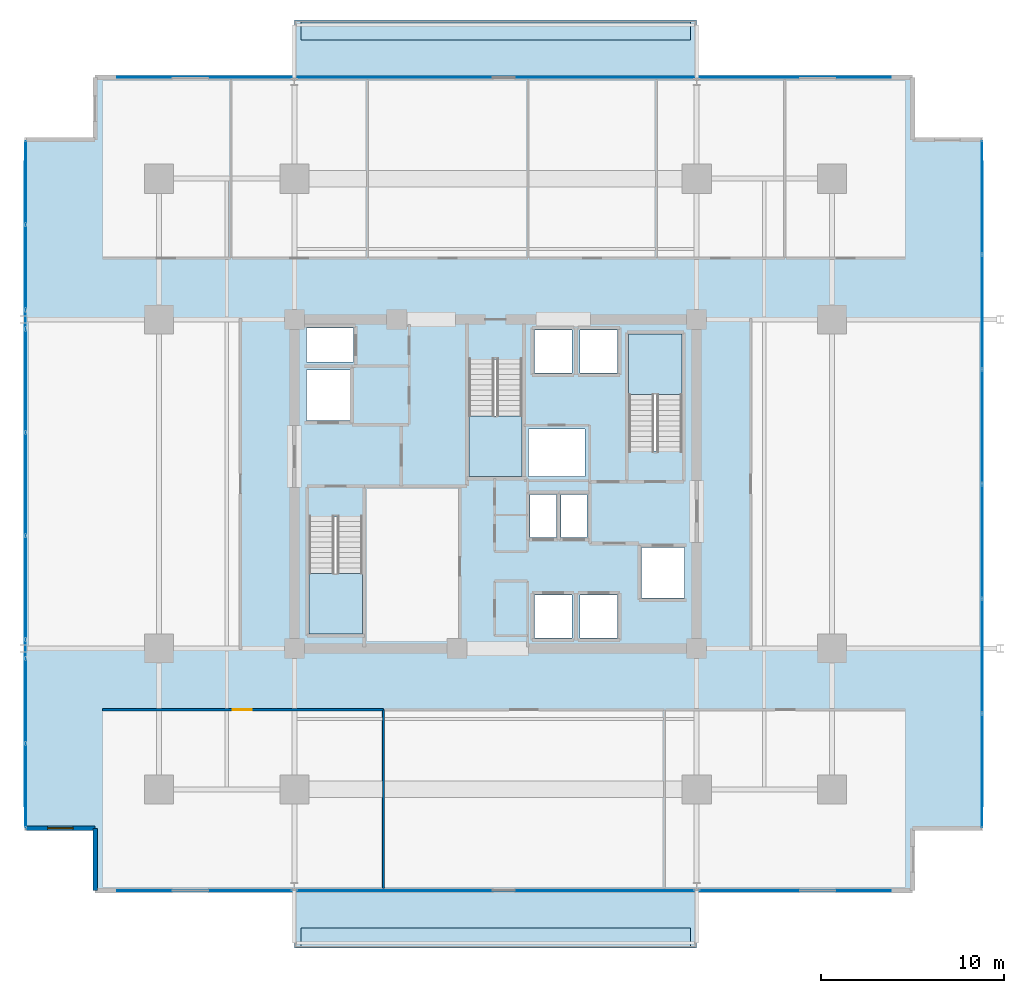
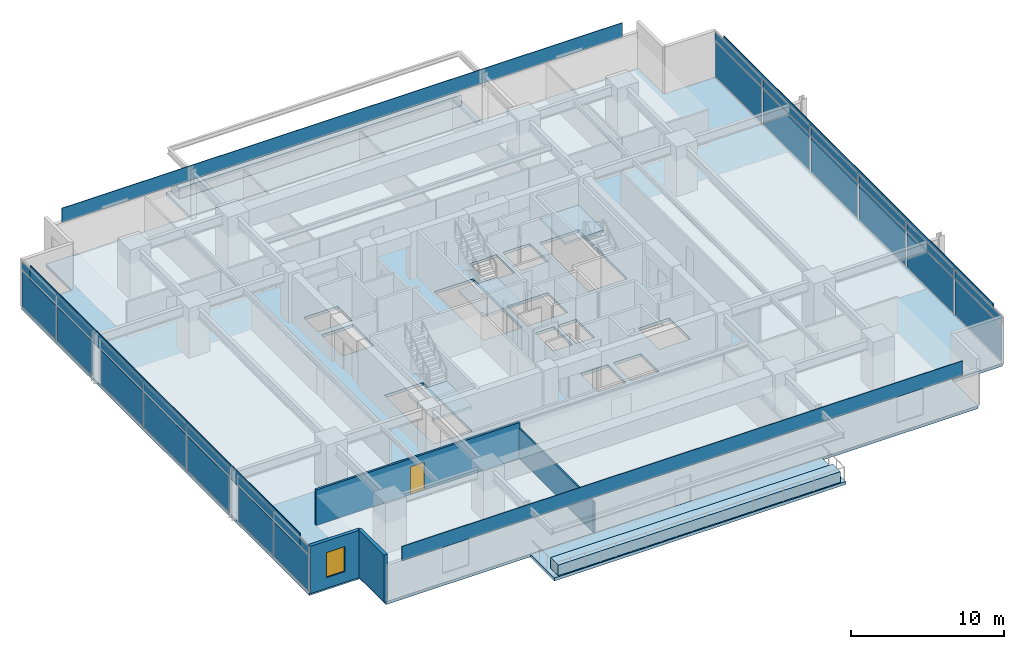
# One storey, part 13 of 21: 30 plates, 8 slabs, 4 walls, 1 door, 1 window, 2 openings, 7 elements without a shape of their own.
"""IFC4 building model written with IfcOpenShell, lengths in metres."""

from ifc_helpers import new_model, si_unit, direction, frame, frame_2d, origin, origin_2d, place, context, subcontext, project, spatial, polyline, rectangle, outline, extrude, material, layer, layer_set, type_object, element, fill, aggregate, save


model = new_model("IFC4")

# Units and contexts
model_context = context("Model", 3, precision=1e-05, world=origin(), true_north=direction((0.0, 1.0)))
body_context = subcontext(model_context, "Body", "Model", "MODEL_VIEW")
ifc_project = project(units=[si_unit("LENGTHUNIT", "METRE"), si_unit("AREAUNIT", "SQUARE_METRE"), si_unit("VOLUMEUNIT", "CUBIC_METRE"), si_unit("PLANEANGLEUNIT", "RADIAN"), si_unit("MASSUNIT", "GRAM", prefix="KILO")], contexts=[model_context])

# Site, building, storey
site_placement = place(None, origin())
site = spatial("IfcSite", under=ifc_project, at=site_placement, CompositionType="ELEMENT")
building_placement = place(site_placement, origin())
building = spatial("IfcBuilding", under=site, at=building_placement, Name="Kovane Verandah Tower", CompositionType="ELEMENT")
storey_placement = place(building_placement, frame((0.0, 0.0, 152.39990234375)))
storey = spatial("IfcBuildingStorey", under=building, at=storey_placement, Name="L35", CompositionType="ELEMENT", Elevation=152.39990234375)

# Curtain wall, plates
ifc_material_1 = material(Name="Champagne Anodised Aluminium Frame with Low-E Clear Laminated Glass", Category="aluminium")
curtain_wall_type = type_object("IfcCurtainWallType", Name="CW-SYS-03-MID", PredefinedType="NOTDEFINED", material=ifc_material_1)
curtain_wall_1_placement = place(storey_placement, origin())
curtain_wall_1 = element("IfcCurtainWall", 1, at=curtain_wall_1_placement, inside=storey, type_object=curtain_wall_type, Name="L35 E Unitised Curtain Wall", PredefinedType="NOTDEFINED")
ifc_material_2 = material(Name="Pale Champagne Anodised Aluminium Insulated Spandrel", Category="aluminium")
ifc_layer_1 = layer(ifc_material_2, 0.0400390625)
ifc_layer_set_1 = layer_set([ifc_layer_1], Name="Pale Champagne Anodised Aluminium Insulated Spandrel")
plate_type_1 = type_object("IfcPlateType", Name="PL-CW-SPD-40", PredefinedType="SHEET", material=ifc_layer_set_1)
plate_1_placement = place(storey_placement, frame((66.60595703125, 11.810791015625, 3.044921875), z_axis=(0.0, 0.0, 1.0), x_axis=(0.0, 1.0, 0.0)))
plate_1 = element("IfcPlate", 2, at=plate_1_placement, type_object=plate_type_1, Name="L35 E Unitised Curtain Wall Spandrel Panel 1", PredefinedType="SHEET", context=body_context, shape_type="SweptSolid", body=[
    extrude(rectangle(XDim=6.1357421875, YDim=0.0400390625, at=origin_2d()), origin(), (0.0, 0.0, 1.0), 0.639892578125),
])
plate_2_placement = place(storey_placement, frame((66.60595703125, 18.08642578125, 3.044921875), z_axis=(0.0, 0.0, 1.0), x_axis=(0.0, 1.0, 0.0)))
plate_2 = element("IfcPlate", 3, at=plate_2_placement, type_object=plate_type_1, Name="L35 E Unitised Curtain Wall Spandrel Panel 2", PredefinedType="SHEET", context=body_context, shape_type="SweptSolid", body=[
    extrude(rectangle(XDim=6.1357421875, YDim=0.0400390625, at=origin_2d()), origin(), (0.0, 0.0, 1.0), 0.639892578125),
])
plate_3_placement = place(storey_placement, frame((66.60595703125, 24.362060546875, 3.044921875), z_axis=(0.0, 0.0, 1.0), x_axis=(0.0, 1.0, 0.0)))
plate_3 = element("IfcPlate", 4, at=plate_3_placement, type_object=plate_type_1, Name="L35 E Unitised Curtain Wall Spandrel Panel 3", PredefinedType="SHEET", context=body_context, shape_type="SweptSolid", body=[
    extrude(rectangle(XDim=6.1357421875, YDim=0.0400390625, at=origin_2d()), origin(), (0.0, 0.0, 1.0), 0.639892578125),
])
plate_4_placement = place(storey_placement, frame((66.60595703125, 30.637939453125, 3.044921875), z_axis=(0.0, 0.0, 1.0), x_axis=(0.0, 1.0, 0.0)))
plate_4 = element("IfcPlate", 5, at=plate_4_placement, type_object=plate_type_1, Name="L35 E Unitised Curtain Wall Spandrel Panel 4", PredefinedType="SHEET", context=body_context, shape_type="SweptSolid", body=[
    extrude(rectangle(XDim=6.1357421875, YDim=0.0400390625, at=origin_2d()), origin(), (0.0, 0.0, 1.0), 0.639892578125),
])
plate_5_placement = place(storey_placement, frame((66.60595703125, 36.91357421875, 3.044921875), z_axis=(0.0, 0.0, 1.0), x_axis=(0.0, 1.0, 0.0)))
plate_5 = element("IfcPlate", 6, at=plate_5_placement, type_object=plate_type_1, Name="L35 E Unitised Curtain Wall Spandrel Panel 5", PredefinedType="SHEET", context=body_context, shape_type="SweptSolid", body=[
    extrude(rectangle(XDim=6.1357421875, YDim=0.0400390625, at=origin_2d()), origin(), (0.0, 0.0, 1.0), 0.639892578125),
])
plate_6_placement = place(storey_placement, frame((66.60595703125, 43.189208984375, 3.044921875), z_axis=(0.0, 0.0, 1.0), x_axis=(0.0, 1.0, 0.0)))
plate_6 = element("IfcPlate", 7, at=plate_6_placement, type_object=plate_type_1, Name="L35 E Unitised Curtain Wall Spandrel Panel 6", PredefinedType="SHEET", context=body_context, shape_type="SweptSolid", body=[
    extrude(rectangle(XDim=6.1357421875, YDim=0.0400390625, at=origin_2d()), origin(), (0.0, 0.0, 1.0), 0.639892578125),
])

curtain_wall_2_placement = place(storey_placement, origin())
curtain_wall_2 = element("IfcCurtainWall", 8, at=curtain_wall_2_placement, inside=storey, type_object=curtain_wall_type, Name="L35 W Unitised Curtain Wall-1", PredefinedType="NOTDEFINED")
plate_7_placement = place(storey_placement, frame((14.303955078125, 44.00048828125, 3.044921875), z_axis=(0.0, 0.0, 1.0), x_axis=(0.0, -1.0, 0.0)))
plate_7 = element("IfcPlate", 9, at=plate_7_placement, type_object=plate_type_1, Name="L35 W Unitised Curtain Wall-1 Spandrel Panel 1", PredefinedType="SHEET", context=body_context, shape_type="SweptSolid", body=[
    extrude(rectangle(XDim=4.513671875, YDim=0.0400390625, at=origin_2d()), origin(), (0.0, 0.0, 1.0), 0.639892578125),
])
plate_8_placement = place(storey_placement, frame((14.303955078125, 39.3466796875, 3.044921875), z_axis=(0.0, 0.0, 1.0), x_axis=(0.0, -1.0, 0.0)))
plate_8 = element("IfcPlate", 10, at=plate_8_placement, type_object=plate_type_1, Name="L35 W Unitised Curtain Wall-1 Spandrel Panel 2", PredefinedType="SHEET", context=body_context, shape_type="SweptSolid", body=[
    extrude(rectangle(XDim=4.513671875, YDim=0.0400390625, at=origin_2d()), origin(), (0.0, 0.0, 1.0), 0.639892578125),
])

curtain_wall_3_placement = place(storey_placement, origin())
curtain_wall_3 = element("IfcCurtainWall", 11, at=curtain_wall_3_placement, inside=storey, type_object=curtain_wall_type, Name="L35 W Unitised Curtain Wall-2", PredefinedType="NOTDEFINED")
plate_9_placement = place(storey_placement, frame((14.303955078125, 33.1533203125, 3.044921875), z_axis=(0.0, 0.0, 1.0), x_axis=(0.0, -1.0, 0.0)))
plate_9 = element("IfcPlate", 12, at=plate_9_placement, type_object=plate_type_1, Name="L35 W Unitised Curtain Wall-2 Spandrel Panel 1", PredefinedType="SHEET", context=body_context, shape_type="SweptSolid", body=[
    extrude(rectangle(XDim=5.51318359375, YDim=0.0400390625, at=origin_2d()), origin(), (0.0, 0.0, 1.0), 0.639892578125),
])
plate_10_placement = place(storey_placement, frame((14.303955078125, 27.5, 3.044921875), z_axis=(0.0, 0.0, 1.0), x_axis=(0.0, -1.0, 0.0)))
plate_10 = element("IfcPlate", 13, at=plate_10_placement, type_object=plate_type_1, Name="L35 W Unitised Curtain Wall-2 Spandrel Panel 2", PredefinedType="SHEET", context=body_context, shape_type="SweptSolid", body=[
    extrude(rectangle(XDim=5.51318359375, YDim=0.0400390625, at=origin_2d()), origin(), (0.0, 0.0, 1.0), 0.639892578125),
])
plate_11_placement = place(storey_placement, frame((14.303955078125, 21.8466796875, 3.044921875), z_axis=(0.0, 0.0, 1.0), x_axis=(0.0, -1.0, 0.0)))
plate_11 = element("IfcPlate", 14, at=plate_11_placement, type_object=plate_type_1, Name="L35 W Unitised Curtain Wall-2 Spandrel Panel 3", PredefinedType="SHEET", context=body_context, shape_type="SweptSolid", body=[
    extrude(rectangle(XDim=5.51318359375, YDim=0.0400390625, at=origin_2d()), origin(), (0.0, 0.0, 1.0), 0.639892578125),
])

curtain_wall_4_placement = place(storey_placement, origin())
curtain_wall_4 = element("IfcCurtainWall", 15, at=curtain_wall_4_placement, inside=storey, type_object=curtain_wall_type, Name="L35 W Unitised Curtain Wall-3", PredefinedType="NOTDEFINED")
plate_12_placement = place(storey_placement, frame((14.303955078125, 15.6533203125, 3.044921875), z_axis=(0.0, 0.0, 1.0), x_axis=(0.0, -1.0, 0.0)))
plate_12 = element("IfcPlate", 16, at=plate_12_placement, type_object=plate_type_1, Name="L35 W Unitised Curtain Wall-3 Spandrel Panel 1", PredefinedType="SHEET", context=body_context, shape_type="SweptSolid", body=[
    extrude(rectangle(XDim=4.513671875, YDim=0.0400390625, at=origin_2d()), origin(), (0.0, 0.0, 1.0), 0.639892578125),
])
plate_13_placement = place(storey_placement, frame((14.303955078125, 10.99951171875, 3.044921875), z_axis=(0.0, 0.0, 1.0), x_axis=(0.0, -1.0, 0.0)))
plate_13 = element("IfcPlate", 17, at=plate_13_placement, type_object=plate_type_1, Name="L35 W Unitised Curtain Wall-3 Spandrel Panel 2", PredefinedType="SHEET", context=body_context, shape_type="SweptSolid", body=[
    extrude(rectangle(XDim=4.513671875, YDim=0.0400390625, at=origin_2d()), origin(), (0.0, 0.0, 1.0), 0.639892578125),
])

# Plate
ifc_material_3 = material(Name="Clear Low-E Laminated Double Glazing", Category="glass")
ifc_layer_2 = layer(ifc_material_3, 0.031982421875)
ifc_layer_set_2 = layer_set([ifc_layer_2], Name="Clear Low-E Laminated Double Glazing")
plate_type_2 = type_object("IfcPlateType", Name="PL-CW-VIS-32", PredefinedType="CURTAIN_PANEL", material=ifc_layer_set_2)
plate_14_placement = place(storey_placement, frame((66.60595703125, 11.810791015625, 0.10009765625), z_axis=(0.0, 0.0, 1.0), x_axis=(0.0, 1.0, 0.0)))
plate_14 = element("IfcPlate", 18, at=plate_14_placement, type_object=plate_type_2, Name="L35 E Unitised Curtain Wall Vision Panel 1", PredefinedType="CURTAIN_PANEL", context=body_context, shape_type="SweptSolid", body=[
    extrude(rectangle(XDim=6.1357421875, YDim=0.031982421875, at=origin_2d()), origin(), (0.0, 0.0, 1.0), 2.844970703125),
])

plate_15_placement = place(storey_placement, frame((66.60595703125, 18.08642578125, 0.10009765625), z_axis=(0.0, 0.0, 1.0), x_axis=(0.0, 1.0, 0.0)))
plate_15 = element("IfcPlate", 19, at=plate_15_placement, type_object=plate_type_2, Name="L35 E Unitised Curtain Wall Vision Panel 2", PredefinedType="CURTAIN_PANEL", context=body_context, shape_type="SweptSolid", body=[
    extrude(rectangle(XDim=6.1357421875, YDim=0.031982421875, at=origin_2d()), origin(), (0.0, 0.0, 1.0), 2.844970703125),
])

plate_16_placement = place(storey_placement, frame((66.60595703125, 24.362060546875, 0.10009765625), z_axis=(0.0, 0.0, 1.0), x_axis=(0.0, 1.0, 0.0)))
plate_16 = element("IfcPlate", 20, at=plate_16_placement, type_object=plate_type_2, Name="L35 E Unitised Curtain Wall Vision Panel 3", PredefinedType="CURTAIN_PANEL", context=body_context, shape_type="SweptSolid", body=[
    extrude(rectangle(XDim=6.1357421875, YDim=0.031982421875, at=origin_2d()), origin(), (0.0, 0.0, 1.0), 2.844970703125),
])

plate_17_placement = place(storey_placement, frame((66.60595703125, 30.637939453125, 0.10009765625), z_axis=(0.0, 0.0, 1.0), x_axis=(0.0, 1.0, 0.0)))
plate_17 = element("IfcPlate", 21, at=plate_17_placement, type_object=plate_type_2, Name="L35 E Unitised Curtain Wall Vision Panel 4", PredefinedType="CURTAIN_PANEL", context=body_context, shape_type="SweptSolid", body=[
    extrude(rectangle(XDim=6.1357421875, YDim=0.031982421875, at=origin_2d()), origin(), (0.0, 0.0, 1.0), 2.844970703125),
])

plate_18_placement = place(storey_placement, frame((66.60595703125, 36.91357421875, 0.10009765625), z_axis=(0.0, 0.0, 1.0), x_axis=(0.0, 1.0, 0.0)))
plate_18 = element("IfcPlate", 22, at=plate_18_placement, type_object=plate_type_2, Name="L35 E Unitised Curtain Wall Vision Panel 5", PredefinedType="CURTAIN_PANEL", context=body_context, shape_type="SweptSolid", body=[
    extrude(rectangle(XDim=6.1357421875, YDim=0.031982421875, at=origin_2d()), origin(), (0.0, 0.0, 1.0), 2.844970703125),
])

plate_19_placement = place(storey_placement, frame((66.60595703125, 43.189208984375, 0.10009765625), z_axis=(0.0, 0.0, 1.0), x_axis=(0.0, 1.0, 0.0)))
plate_19 = element("IfcPlate", 23, at=plate_19_placement, type_object=plate_type_2, Name="L35 E Unitised Curtain Wall Vision Panel 6", PredefinedType="CURTAIN_PANEL", context=body_context, shape_type="SweptSolid", body=[
    extrude(rectangle(XDim=6.1357421875, YDim=0.031982421875, at=origin_2d()), origin(), (0.0, 0.0, 1.0), 2.844970703125),
])

aggregate(curtain_wall_1, [plate_14, plate_1, plate_15, plate_2, plate_16, plate_3, plate_17, plate_4, plate_18, plate_5, plate_19, plate_6])

plate_20_placement = place(storey_placement, frame((14.303955078125, 44.00048828125, 0.10009765625), z_axis=(0.0, 0.0, 1.0), x_axis=(0.0, -1.0, 0.0)))
plate_20 = element("IfcPlate", 24, at=plate_20_placement, type_object=plate_type_2, Name="L35 W Unitised Curtain Wall-1 Vision Panel 1", PredefinedType="CURTAIN_PANEL", context=body_context, shape_type="SweptSolid", body=[
    extrude(rectangle(XDim=4.513671875, YDim=0.031982421875, at=origin_2d()), origin(), (0.0, 0.0, 1.0), 2.844970703125),
])

plate_21_placement = place(storey_placement, frame((14.303955078125, 39.3466796875, 0.10009765625), z_axis=(0.0, 0.0, 1.0), x_axis=(0.0, -1.0, 0.0)))
plate_21 = element("IfcPlate", 25, at=plate_21_placement, type_object=plate_type_2, Name="L35 W Unitised Curtain Wall-1 Vision Panel 2", PredefinedType="CURTAIN_PANEL", context=body_context, shape_type="SweptSolid", body=[
    extrude(rectangle(XDim=4.513671875, YDim=0.031982421875, at=origin_2d()), origin(), (0.0, 0.0, 1.0), 2.844970703125),
])

aggregate(curtain_wall_2, [plate_20, plate_7, plate_21, plate_8])

plate_22_placement = place(storey_placement, frame((14.303955078125, 33.1533203125, 0.10009765625), z_axis=(0.0, 0.0, 1.0), x_axis=(0.0, -1.0, 0.0)))
plate_22 = element("IfcPlate", 26, at=plate_22_placement, type_object=plate_type_2, Name="L35 W Unitised Curtain Wall-2 Vision Panel 1", PredefinedType="CURTAIN_PANEL", context=body_context, shape_type="SweptSolid", body=[
    extrude(rectangle(XDim=5.51318359375, YDim=0.031982421875, at=origin_2d()), origin(), (0.0, 0.0, 1.0), 2.844970703125),
])

plate_23_placement = place(storey_placement, frame((14.303955078125, 27.5, 0.10009765625), z_axis=(0.0, 0.0, 1.0), x_axis=(0.0, -1.0, 0.0)))
plate_23 = element("IfcPlate", 27, at=plate_23_placement, type_object=plate_type_2, Name="L35 W Unitised Curtain Wall-2 Vision Panel 2", PredefinedType="CURTAIN_PANEL", context=body_context, shape_type="SweptSolid", body=[
    extrude(rectangle(XDim=5.51318359375, YDim=0.031982421875, at=origin_2d()), origin(), (0.0, 0.0, 1.0), 2.844970703125),
])

plate_24_placement = place(storey_placement, frame((14.303955078125, 21.8466796875, 0.10009765625), z_axis=(0.0, 0.0, 1.0), x_axis=(0.0, -1.0, 0.0)))
plate_24 = element("IfcPlate", 28, at=plate_24_placement, type_object=plate_type_2, Name="L35 W Unitised Curtain Wall-2 Vision Panel 3", PredefinedType="CURTAIN_PANEL", context=body_context, shape_type="SweptSolid", body=[
    extrude(rectangle(XDim=5.51318359375, YDim=0.031982421875, at=origin_2d()), origin(), (0.0, 0.0, 1.0), 2.844970703125),
])

aggregate(curtain_wall_3, [plate_22, plate_9, plate_23, plate_10, plate_24, plate_11])

plate_25_placement = place(storey_placement, frame((14.303955078125, 15.6533203125, 0.10009765625), z_axis=(0.0, 0.0, 1.0), x_axis=(0.0, -1.0, 0.0)))
plate_25 = element("IfcPlate", 29, at=plate_25_placement, type_object=plate_type_2, Name="L35 W Unitised Curtain Wall-3 Vision Panel 1", PredefinedType="CURTAIN_PANEL", context=body_context, shape_type="SweptSolid", body=[
    extrude(rectangle(XDim=4.513671875, YDim=0.031982421875, at=origin_2d()), origin(), (0.0, 0.0, 1.0), 2.844970703125),
])

plate_26_placement = place(storey_placement, frame((14.303955078125, 10.99951171875, 0.10009765625), z_axis=(0.0, 0.0, 1.0), x_axis=(0.0, -1.0, 0.0)))
plate_26 = element("IfcPlate", 30, at=plate_26_placement, type_object=plate_type_2, Name="L35 W Unitised Curtain Wall-3 Vision Panel 2", PredefinedType="CURTAIN_PANEL", context=body_context, shape_type="SweptSolid", body=[
    extrude(rectangle(XDim=4.513671875, YDim=0.031982421875, at=origin_2d()), origin(), (0.0, 0.0, 1.0), 2.844970703125),
])

aggregate(curtain_wall_4, [plate_25, plate_12, plate_26, plate_13])

# Plates
ifc_material_4 = material(Name="Perforated Pale Champagne Anodised Aluminium Solar Screen", Category="aluminium")
ifc_layer_3 = layer(ifc_material_4, 0.050048828125)
ifc_layer_set_3 = layer_set([ifc_layer_3], Name="Perforated Pale Champagne Anodised Aluminium Solar Screen")
plate_type_3 = type_object("IfcPlateType", Name="PL-SCREEN-50", PredefinedType="USERDEFINED", material=ifc_layer_set_3)
plate_27_placement = place(storey_placement, frame((40.455078125, 5.2578125, 2.875244140625), z_axis=(0.0, 0.0, 1.0), x_axis=(1.0, 0.0, 0.0)))
element("IfcPlate", 31, at=plate_27_placement, inside=storey, type_object=plate_type_3, Name="L35 S Perforated Champagne-Gold Solar Screen", ObjectType="SCREEN", PredefinedType="USERDEFINED", context=body_context, shape_type="SweptSolid", body=[
    extrude(rectangle(XDim=42.302001953125, YDim=0.050048828125, at=origin_2d()), origin(), (0.0, 0.0, 1.0), 1.14990234375),
])
plate_28_placement = place(storey_placement, frame((66.62109375, 27.5, 2.875244140625), z_axis=(0.0, 0.0, 1.0), x_axis=(0.0, 1.0, 0.0)))
element("IfcPlate", 32, at=plate_28_placement, inside=storey, type_object=plate_type_3, Name="L35 E Perforated Champagne-Gold Solar Screen", ObjectType="SCREEN", PredefinedType="USERDEFINED", context=body_context, shape_type="SweptSolid", body=[
    extrude(rectangle(XDim=35.25390625, YDim=0.050048828125, at=origin_2d()), origin(), (0.0, 0.0, 1.0), 1.14990234375),
])
plate_29_placement = place(storey_placement, frame((40.455078125, 49.7421875, 2.875244140625), z_axis=(0.0, 0.0, 1.0), x_axis=(-1.0, 0.0, 0.0)))
element("IfcPlate", 33, at=plate_29_placement, inside=storey, type_object=plate_type_3, Name="L35 N Perforated Champagne-Gold Solar Screen", ObjectType="SCREEN", PredefinedType="USERDEFINED", context=body_context, shape_type="SweptSolid", body=[
    extrude(rectangle(XDim=42.302001953125, YDim=0.050048828125, at=origin_2d()), origin(), (0.0, 0.0, 1.0), 1.14990234375),
])
plate_30_placement = place(storey_placement, frame((14.2890625, 27.5, 2.875244140625), z_axis=(0.0, 0.0, 1.0), x_axis=(0.0, -1.0, 0.0)))
element("IfcPlate", 34, at=plate_30_placement, inside=storey, type_object=plate_type_3, Name="L35 W Perforated Champagne-Gold Solar Screen", ObjectType="SCREEN", PredefinedType="USERDEFINED", context=body_context, shape_type="SweptSolid", body=[
    extrude(rectangle(XDim=35.25390625, YDim=0.050048828125, at=origin_2d()), origin(), (0.0, 0.0, 1.0), 1.14990234375),
])

# Slabs
ifc_material_5 = material(Name="Concrete C45/55", Category="concrete")
ifc_layer_4 = layer(ifc_material_5, 0.239990234375)
ifc_layer_set_4 = layer_set([ifc_layer_4], Name="Concrete C45/55")
slab_type_1 = type_object("IfcSlabType", Name="SL-BALC-240", PredefinedType="FLOOR", material=ifc_layer_set_4)
slab_1_placement = place(storey_placement, frame((0.0, 0.0, -0.239990234375)))
element("IfcSlab", 35, at=slab_1_placement, inside=storey, type_object=slab_type_1, Name="L35 N Planted Verandah Balcony Slab", PredefinedType="FLOOR", context=body_context, shape_type="SweptSolid", body=[
    extrude(outline(polyline([(29.0, 49.727294921875), (51.0, 49.727294921875), (51.0, 52.877197265625), (29.0, 52.877197265625), (29.0, 49.727294921875)])), origin(), (0.0, 0.0, 1.0), 0.239990234375),
])
slab_2_placement = place(storey_placement, frame((0.0, 0.0, -0.239990234375)))
element("IfcSlab", 36, at=slab_2_placement, inside=storey, type_object=slab_type_1, Name="L35 S Planted Verandah Balcony Slab", PredefinedType="FLOOR", context=body_context, shape_type="SweptSolid", body=[
    extrude(outline(polyline([(29.0, 2.122802734375), (51.0, 2.122802734375), (51.0, 5.272705078125), (29.0, 5.272705078125), (29.0, 2.122802734375)])), origin(), (0.0, 0.0, 1.0), 0.239990234375),
])

# Stair, slab
stair_type = type_object("IfcStairType", Name="ST-CORE-1380", PredefinedType="HALF_TURN_STAIR", material=ifc_material_5)
stair_1_placement = place(storey_placement, origin())
stair_1 = element("IfcStair", 37, at=stair_1_placement, inside=storey, type_object=stair_type, Name="L35 Exit Stair ST-01", PredefinedType="HALF_TURN_STAIR")
ifc_layer_5 = layer(ifc_material_5, 0.199951171875)
ifc_layer_set_5 = layer_set([ifc_layer_5], Name="Concrete C45/55")
slab_type_2 = type_object("IfcSlabType", Name="SL-LAND-200", PredefinedType="LANDING", material=ifc_layer_set_5)
slab_3_placement = place(storey_placement, frame((0.0, 0.0, 1.800048828125)))
slab_3 = element("IfcSlab", 38, at=slab_3_placement, type_object=slab_type_2, Name="ST-01 landing 1", PredefinedType="LANDING", context=body_context, shape_type="SweptSolid", body=[
    extrude(outline(polyline([(29.800048828125, 22.614990234375), (29.800048828125, 19.300048828125), (32.719970703125, 19.300048828125), (32.719970703125, 22.614990234375), (29.800048828125, 22.614990234375)])), origin(), (0.0, 0.0, 1.0), 0.199951171875),
])
aggregate(stair_1, [slab_3])

stair_2_placement = place(storey_placement, origin())
stair_2 = element("IfcStair", 39, at=stair_2_placement, inside=storey, type_object=stair_type, Name="L35 Exit Stair ST-02", PredefinedType="HALF_TURN_STAIR")
slab_4_placement = place(storey_placement, frame((0.0, 0.0, 1.800048828125)))
slab_4 = element("IfcSlab", 40, at=slab_4_placement, type_object=slab_type_2, Name="ST-02 landing 1", PredefinedType="LANDING", context=body_context, shape_type="SweptSolid", body=[
    extrude(outline(polyline([(50.199951171875, 32.385009765625), (50.199951171875, 35.699951171875), (47.280029296875, 35.699951171875), (47.280029296875, 32.385009765625), (50.199951171875, 32.385009765625)])), origin(), (0.0, 0.0, 1.0), 0.199951171875),
])
aggregate(stair_2, [slab_4])

stair_3_placement = place(storey_placement, origin())
stair_3 = element("IfcStair", 41, at=stair_3_placement, inside=storey, type_object=stair_type, Name="L35 Exit Stair ST-03", PredefinedType="HALF_TURN_STAIR")
slab_5_placement = place(storey_placement, frame((0.0, 0.0, 1.800048828125)))
slab_5 = element("IfcSlab", 42, at=slab_5_placement, type_object=slab_type_2, Name="ST-03 landing 1", PredefinedType="LANDING", context=body_context, shape_type="SweptSolid", body=[
    extrude(outline(polyline([(38.5400390625, 31.215087890625), (38.5400390625, 27.89990234375), (41.4599609375, 27.89990234375), (41.4599609375, 31.215087890625), (38.5400390625, 31.215087890625)])), origin(), (0.0, 0.0, 1.0), 0.199951171875),
])
aggregate(stair_3, [slab_5])

# Slabs
ifc_layer_6 = layer(ifc_material_5, 0.22509765625)
ifc_layer_set_6 = layer_set([ifc_layer_6], Name="Concrete C45/55")
slab_type_3 = type_object("IfcSlabType", Name="SL-MID-225", PredefinedType="FLOOR", material=ifc_layer_set_6)
slab_6_placement = place(storey_placement, frame((0.0, 0.0, -0.224853515625)))
element("IfcSlab", 43, at=slab_6_placement, inside=storey, type_object=slab_type_3, Name="L35 Structural Floor Slab", PredefinedType="FLOOR", context=body_context, shape_type="SweptSolid", body=[
    extrude(outline(polyline([(18.10400390625, 5.272705078125), (62.805908203125, 5.272705078125), (62.805908203125, 8.6728515625), (66.60595703125, 8.6728515625), (66.60595703125, 46.3271484375), (62.805908203125, 46.3271484375), (62.805908203125, 49.727294921875), (18.10400390625, 49.727294921875), (18.10400390625, 46.3271484375), (14.303955078125, 46.3271484375), (14.303955078125, 8.6728515625), (18.10400390625, 8.6728515625), (18.10400390625, 5.272705078125)]), holes=[polyline([(29.800048828125, 19.300048828125), (32.719970703125, 19.300048828125), (32.719970703125, 25.705078125), (29.800048828125, 25.705078125), (29.800048828125, 19.300048828125)]), polyline([(47.280029296875, 29.294921875), (50.199951171875, 29.294921875), (50.199951171875, 35.699951171875), (47.280029296875, 35.699951171875), (47.280029296875, 29.294921875)]), polyline([(38.5400390625, 27.89990234375), (41.4599609375, 27.89990234375), (41.4599609375, 34.304931640625), (38.5400390625, 34.304931640625), (38.5400390625, 27.89990234375)]), polyline([(29.669921875, 30.969970703125), (32.030029296875, 30.969970703125), (32.030029296875, 33.72998046875), (29.669921875, 33.72998046875), (29.669921875, 30.969970703125)]), polyline([(47.969970703125, 21.27001953125), (50.330078125, 21.27001953125), (50.330078125, 24.030029296875), (47.969970703125, 24.030029296875), (47.969970703125, 21.27001953125)]), polyline([(29.669921875, 34.169921875), (32.22998046875, 34.169921875), (32.22998046875, 36.030029296875), (29.669921875, 36.030029296875), (29.669921875, 34.169921875)]), polyline([(42.1201171875, 19.070068359375), (44.179931640625, 19.070068359375), (44.179931640625, 21.429931640625), (42.1201171875, 21.429931640625), (42.1201171875, 19.070068359375)]), polyline([(44.6201171875, 19.070068359375), (46.679931640625, 19.070068359375), (46.679931640625, 21.429931640625), (44.6201171875, 21.429931640625), (44.6201171875, 19.070068359375)]), polyline([(41.8798828125, 24.570068359375), (43.320068359375, 24.570068359375), (43.320068359375, 26.929931640625), (41.8798828125, 26.929931640625), (41.8798828125, 24.570068359375)]), polyline([(43.580078125, 24.570068359375), (45.0, 24.570068359375), (45.0, 26.929931640625), (43.580078125, 26.929931640625), (43.580078125, 24.570068359375)]), polyline([(42.1201171875, 33.570068359375), (44.179931640625, 33.570068359375), (44.179931640625, 35.929931640625), (42.1201171875, 35.929931640625), (42.1201171875, 33.570068359375)]), polyline([(44.6201171875, 33.570068359375), (46.679931640625, 33.570068359375), (46.679931640625, 35.929931640625), (44.6201171875, 35.929931640625), (44.6201171875, 33.570068359375)]), polyline([(41.800048828125, 27.89990234375), (44.89990234375, 27.89990234375), (44.89990234375, 30.5), (41.800048828125, 30.5), (41.800048828125, 27.89990234375)])]), origin(), (0.0, 0.0, 1.0), 0.224853515625),
])
ifc_material_6 = material(Name="Architectural Precast Concrete C45/55 Planter Trough", Category="concrete")
ifc_layer_7 = layer(ifc_material_6, 0.219970703125)
ifc_layer_set_7 = layer_set([ifc_layer_7], Name="Architectural Precast Concrete C45/55 Planter Trough")
slab_type_4 = type_object("IfcSlabType", Name="SL-PLANTER-220", PredefinedType="USERDEFINED", material=ifc_layer_set_7)
slab_7_placement = place(storey_placement, origin())
element("IfcSlab", 44, at=slab_7_placement, inside=storey, type_object=slab_type_4, Name="L35 N Structural Tree Planter", ObjectType="PLANTER", PredefinedType="USERDEFINED", context=body_context, shape_type="SweptSolid", body=[
    extrude(outline(polyline([(29.35009765625, 51.777099609375), (50.64990234375, 51.777099609375), (50.64990234375, 52.777099609375), (29.35009765625, 52.777099609375), (29.35009765625, 51.777099609375)])), origin(), (0.0, 0.0, 1.0), 0.85009765625),
])
slab_8_placement = place(storey_placement, origin())
element("IfcSlab", 45, at=slab_8_placement, inside=storey, type_object=slab_type_4, Name="L35 S Structural Tree Planter", ObjectType="PLANTER", PredefinedType="USERDEFINED", context=body_context, shape_type="SweptSolid", body=[
    extrude(outline(polyline([(29.35009765625, 2.222900390625), (50.64990234375, 2.222900390625), (50.64990234375, 3.222900390625), (29.35009765625, 3.222900390625), (29.35009765625, 2.222900390625)])), origin(), (0.0, 0.0, 1.0), 0.85009765625),
])

# Wall, opening, door
ifc_material_7 = material(Name="Fire-Rated Gypsum Stud Partition", Category="gypsum")
ifc_layer_8 = layer(ifc_material_7, 0.14990234375)
ifc_layer_set_8 = layer_set([ifc_layer_8], Name="Fire-Rated Gypsum Stud Partition")
wall_type_1 = type_object("IfcWallType", Name="WL-COR-150", PredefinedType="PARTITIONING", material=ifc_layer_set_8)
wall_1_placement = place(storey_placement, frame((18.50390625, 15.14990234375, 0.0), z_axis=(0.0, 0.0, 1.0), x_axis=(1.0, 0.0, 0.0)))
wall_1 = element("IfcWall", 46, at=wall_1_placement, inside=storey, type_object=wall_type_1, Name="L35 Executive Office S1 Corridor Partition", PredefinedType="PARTITIONING", context=body_context, shape_type="SweptSolid", body=[
    extrude(rectangle(XDim=15.36572265625, YDim=0.14990234375, at=frame_2d((7.682861328125, 0.0))), origin(), (0.0, 0.0, 1.0), 2.85009765625),
])
opening_1_placement = place(wall_1_placement, frame((7.122802734375, 0.0, 0.0)))
opening_1 = element("IfcOpeningElement", 47, at=opening_1_placement, cuts=wall_1, Name="Opening DR-L35-021", PredefinedType="OPENING", context=body_context, shape_type="SweptSolid", body=[
    extrude(rectangle(XDim=1.050048828125, YDim=2.199951171875, at=frame_2d((0.52490234375, 1.10009765625))), frame((0.0, 0.074951171875, 0.0), z_axis=(0.0, -1.0, 0.0), x_axis=(1.0, 0.0, 0.0)), (0.0, 0.0, 1.0), 0.14990234375),
])
ifc_material_8 = material(Name="FSC Blackbutt Timber Fire-Rated Executive Door", Category="wood")
door_type = type_object("IfcDoorType", Name="DR-EXEC-1050", OperationType="SINGLE_SWING_LEFT", PredefinedType="DOOR", material=ifc_material_8)
door_placement = place(opening_1_placement, origin())
door = element("IfcDoor", 48, at=door_placement, inside=storey, type_object=door_type, Name="L35 Executive Office S1 Entrance Door", OperationType="SINGLE_SWING_RIGHT", OverallHeight=2.199951171875, OverallWidth=1.050048828125, PredefinedType="DOOR", context=body_context, shape_type="SweptSolid", body=[
    extrude(rectangle(XDim=1.050048828125, YDim=2.199951171875, at=frame_2d((0.52490234375, 1.10009765625))), frame((0.0, 0.02490234375, 0.0), z_axis=(0.0, -1.0, 0.0), x_axis=(1.0, 0.0, 0.0)), (0.0, 0.0, 1.0), 0.050048828125),
])
fill(opening_1, door)

# Wall
ifc_material_9 = material(Name="Acoustic Fire-Rated Gypsum Partition", Category="gypsum")
ifc_layer_9 = layer(ifc_material_9, 0.1201171875)
ifc_layer_set_9 = layer_set([ifc_layer_9], Name="Acoustic Fire-Rated Gypsum Partition")
wall_type_2 = type_object("IfcWallType", Name="WL-PART-120", PredefinedType="PARTITIONING", material=ifc_layer_set_9)
wall_2_placement = place(storey_placement, frame((33.86962890625, 5.372802734375, 0.0), z_axis=(0.0, 0.0, 1.0), x_axis=(0.0, 1.0, 0.0)))
element("IfcWall", 49, at=wall_2_placement, inside=storey, type_object=wall_type_2, Name="L35 Executive Office S1 Dividing Partition", PredefinedType="PARTITIONING", context=body_context, shape_type="SweptSolid", body=[
    extrude(rectangle(XDim=9.777099609375, YDim=0.1201171875, at=frame_2d((4.888671875, 0.0))), origin(), (0.0, 0.0, 1.0), 2.405029296875),
])

# Wall, opening, window
ifc_material_10 = material(Name="Concrete C45/55 Insulated Spandrel Wall", Category="concrete")
ifc_layer_10 = layer(ifc_material_10, 0.260009765625)
ifc_layer_set_10 = layer_set([ifc_layer_10], Name="Concrete C45/55 Insulated Spandrel Wall")
wall_type_3 = type_object("IfcWallType", Name="WL-SPANDREL-260", PredefinedType="PARAPET", material=ifc_layer_set_10)
wall_3_placement = place(storey_placement, frame((14.303955078125, 8.6728515625, 0.0), z_axis=(0.0, 0.0, 1.0), x_axis=(1.0, 0.0, 0.0)))
wall_3 = element("IfcWall", 50, at=wall_3_placement, inside=storey, type_object=wall_type_3, Name="L35 SW Notch Cheek Wall 1", PredefinedType="PARAPET", context=body_context, shape_type="SweptSolid", body=[
    extrude(rectangle(XDim=3.800048828125, YDim=0.260009765625, at=frame_2d((1.89990234375, 0.0))), origin(), (0.0, 0.0, 1.0), 3.775146484375),
])
opening_2_placement = place(wall_3_placement, frame((1.199951171875, 0.0, 0.85009765625)))
opening_2 = element("IfcOpeningElement", 51, at=opening_2_placement, cuts=wall_3, Name="Opening W-01", PredefinedType="OPENING", context=body_context, shape_type="SweptSolid", body=[
    extrude(rectangle(XDim=1.39990234375, YDim=2.0, at=frame_2d((0.699951171875, 1.0))), frame((0.0, 0.1298828125, 0.0), z_axis=(0.0, -1.0, 0.0), x_axis=(1.0, 0.0, 0.0)), (0.0, 0.0, 1.0), 0.260009765625),
])
ifc_material_11 = material(Name="Clear Low-E Laminated Double Glazing in Anodised Frame", Category="glass")
window_type = type_object("IfcWindowType", Name="WN-OPER-1400x2000", PartitioningType="SINGLE_PANEL", PredefinedType="WINDOW", material=ifc_material_11)
window_placement = place(opening_2_placement, origin())
window = element("IfcWindow", 52, at=window_placement, inside=storey, type_object=window_type, Name="L35 SW Re-Entrant Corner Operable Window", OverallHeight=2.0, OverallWidth=1.39990234375, PartitioningType="SINGLE_PANEL", PredefinedType="WINDOW", context=body_context, shape_type="SweptSolid", body=[
    extrude(rectangle(XDim=1.39990234375, YDim=2.0, at=frame_2d((0.699951171875, 1.0))), frame((0.0, 0.030029296875, 0.0), z_axis=(0.0, -1.0, 0.0), x_axis=(1.0, 0.0, 0.0)), (0.0, 0.0, 1.0), 0.06005859375),
])
fill(opening_2, window)

# Wall
wall_4_placement = place(storey_placement, frame((18.10400390625, 8.6728515625, 0.0), z_axis=(0.0, 0.0, 1.0), x_axis=(0.0, -1.0, 0.0)))
element("IfcWall", 53, at=wall_4_placement, inside=storey, type_object=wall_type_3, Name="L35 SW Notch Cheek Wall 2", PredefinedType="PARAPET", context=body_context, shape_type="SweptSolid", body=[
    extrude(rectangle(XDim=3.400146484375, YDim=0.260009765625, at=frame_2d((1.7001953125, 0.0))), origin(), (0.0, 0.0, 1.0), 3.775146484375),
])

save(model, "model.ifc")
